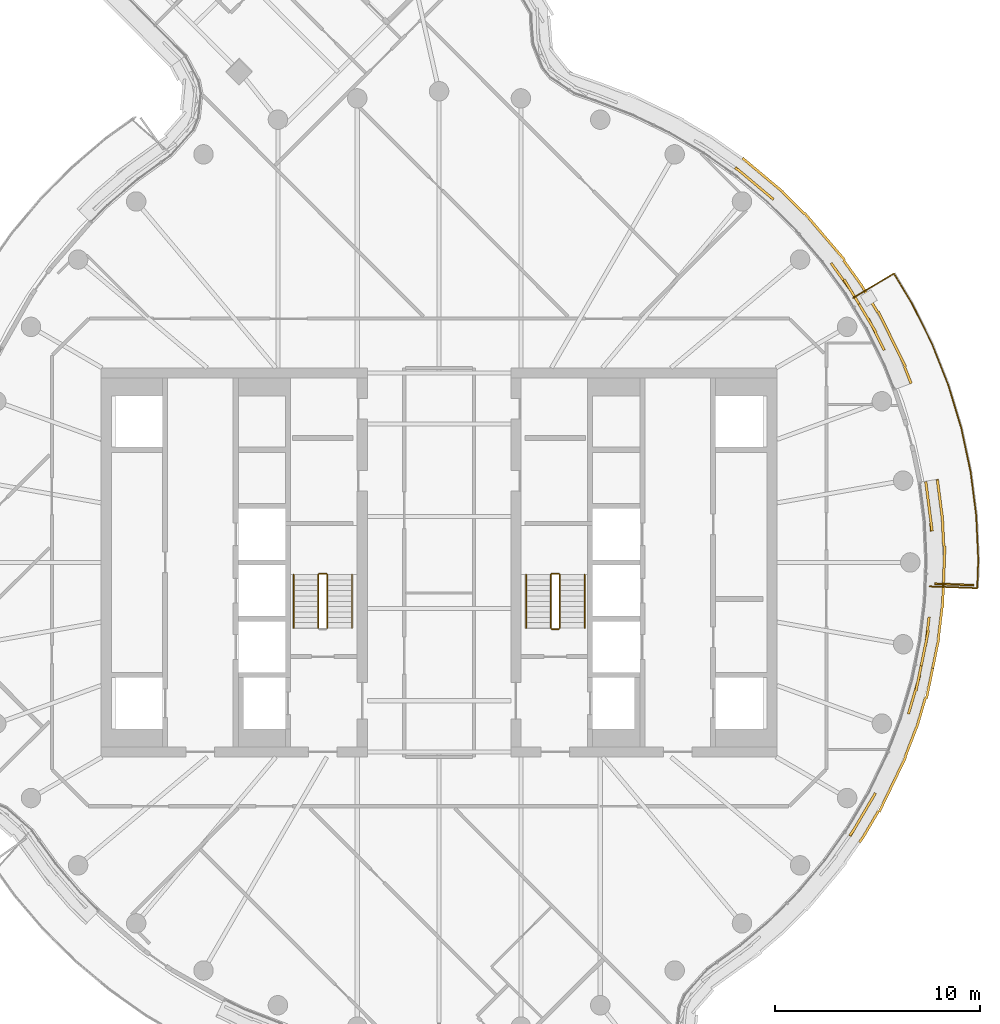
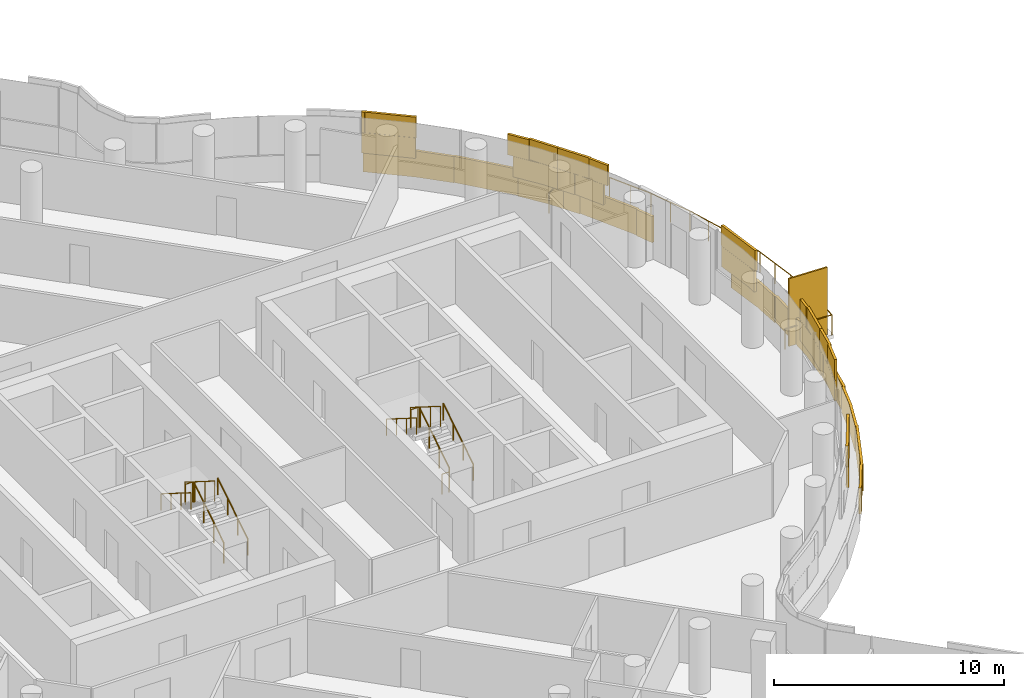
# One storey, part 28 of 31: 12 railings, 4 coverings, 1 shading device.
"""IFC4 building model written with IfcOpenShell, lengths in metres."""

from ifc_helpers import new_model, si_unit, direction, frame, origin, origin_2d, place, context, subcontext, project, spatial, rectangle, circle, extrude, material, layer, layer_set, type_object, element, save


model = new_model("IFC4")

# Units and contexts
model_context = context("Model", 3, precision=1e-05, world=origin(), true_north=direction((0.0, 1.0)))
body_context = subcontext(model_context, "Body", "Model", "MODEL_VIEW")
ifc_project = project(units=[si_unit("LENGTHUNIT", "METRE"), si_unit("AREAUNIT", "SQUARE_METRE"), si_unit("VOLUMEUNIT", "CUBIC_METRE"), si_unit("PLANEANGLEUNIT", "RADIAN"), si_unit("MASSUNIT", "GRAM", prefix="KILO")], contexts=[model_context])

# Site, building, storey
site_placement = place(None, origin())
site = spatial("IfcSite", under=ifc_project, at=site_placement, CompositionType="ELEMENT")
building_placement = place(site_placement, origin())
building = spatial("IfcBuilding", under=site, at=building_placement, Name="Tamarind Cross Interchange Tower", CompositionType="ELEMENT")
storey_placement = place(building_placement, frame((0.0, 0.0, 196.89990234375)))
storey = spatial("IfcBuildingStorey", under=building, at=storey_placement, Name="L49", CompositionType="ELEMENT", Elevation=196.89990234375)

# Railing
ifc_material_1 = material(Name="Stainless steel and laminated glass", Category="steel")
railing_type_1 = type_object("IfcRailingType", Name="Balcony guard", PredefinedType="BALUSTRADE", material=ifc_material_1)
railing_1_placement = place(storey_placement, frame((23.948486328125, -1.169921875, 0.0)))
element("IfcRailing", 1, at=railing_1_placement, inside=storey, type_object=railing_type_1, Name="Balcony guard 02", PredefinedType="BALUSTRADE", context=body_context, shape_type="SweptSolid", body=[
    extrude(circle(Radius=0.02490234375, at=origin_2d()), frame((0.0, 0.0, 1.0751953125), z_axis=(0.999313680019, -0.037042798585, 0.0), x_axis=(0.037042798585, 0.999313680019, 0.0)), (0.0, 0.0, 1.0), 2.320068359375),
    extrude(circle(Radius=0.02490234375, at=origin_2d()), frame((2.318359375, -0.0859375, 1.0751953125), z_axis=(0.037064386403, 0.999312879563, 0.0), x_axis=(-0.999312879563, 0.037064386403, 0.0)), (0.0, 0.0, 1.0), 1.3701171875),
    extrude(circle(Radius=0.02490234375, at=origin_2d()), frame((2.369140625, 1.283203125, 1.0751953125), z_axis=(-0.045570585979, 0.998961121212, 0.0), x_axis=(-0.998961121212, -0.045570585979, 0.0)), (0.0, 0.0, 1.0), 2.175048828125),
    extrude(circle(Radius=0.02490234375, at=origin_2d()), frame((2.27001953125, 3.4560546875, 1.0751953125), z_axis=(-0.127957091824, 0.991779704699, 0.0), x_axis=(-0.991779704699, -0.127957091824, 0.0)), (0.0, 0.0, 1.0), 2.175048828125),
    extrude(circle(Radius=0.02490234375, at=origin_2d()), frame((1.99169921875, 5.61328125, 1.0751953125), z_axis=(-0.209437106955, 0.977822119933, 0.0), x_axis=(-0.977822119933, -0.209437106955, 0.0)), (0.0, 0.0, 1.0), 2.17529296875),
    extrude(circle(Radius=0.02490234375, at=origin_2d()), frame((1.5361328125, 7.740234375, 1.0751953125), z_axis=(-0.289468424656, 0.957187563191, 0.0), x_axis=(-0.957187563191, -0.289468424656, 0.0)), (0.0, 0.0, 1.0), 2.175048828125),
    extrude(circle(Radius=0.02490234375, at=origin_2d()), frame((0.906494140625, 9.822265625, 1.0751953125), z_axis=(-0.367439931593, 0.930047255074, 0.0), x_axis=(-0.930047255074, -0.367439931593, 0.0)), (0.0, 0.0, 1.0), 2.17529296875),
    extrude(circle(Radius=0.02490234375, at=origin_2d()), frame((0.107177734375, 11.845458984375, 1.0751953125), z_axis=(-0.443123395184, 0.896460627491, 0.0), x_axis=(-0.896460627491, -0.443123395184, 0.0)), (0.0, 0.0, 1.0), 2.175048828125),
    extrude(circle(Radius=0.02490234375, at=origin_2d()), frame((-0.856689453125, 13.79541015625, 1.0751953125), z_axis=(-0.515556176902, 0.856855780431, 0.0), x_axis=(-0.856855780431, -0.515556176902, 0.0)), (0.0, 0.0, 1.0), 1.72607421875),
    extrude(circle(Radius=0.02490234375, at=origin_2d()), frame((-1.74658203125, 15.2744140625, 1.0751953125), z_axis=(-0.856879513456, -0.515516730495, 0.0), x_axis=(0.515516730495, -0.856879513456, 0.0)), (0.0, 0.0, 1.0), 2.320068359375),
    extrude(circle(Radius=0.02001953125, at=origin_2d()), origin(), (0.0, 0.0, 1.0), 1.050048828125),
    extrude(circle(Radius=0.02001953125, at=origin_2d()), frame((1.1591796875, -0.04296875, 0.0)), (0.0, 0.0, 1.0), 1.050048828125),
    extrude(circle(Radius=0.02001953125, at=origin_2d()), frame((2.318359375, -0.0859375, 0.0)), (0.0, 0.0, 1.0), 1.050048828125),
    extrude(circle(Radius=0.02001953125, at=origin_2d()), frame((2.34375, 0.5986328125, 0.0)), (0.0, 0.0, 1.0), 1.050048828125),
    extrude(circle(Radius=0.02001953125, at=origin_2d()), frame((2.369140625, 1.283203125, 0.0)), (0.0, 0.0, 1.0), 1.050048828125),
    extrude(circle(Radius=0.02001953125, at=origin_2d()), frame((2.319580078125, 2.36962890625, 0.0)), (0.0, 0.0, 1.0), 1.050048828125),
    extrude(circle(Radius=0.02001953125, at=origin_2d()), frame((2.27001953125, 3.4560546875, 0.0)), (0.0, 0.0, 1.0), 1.050048828125),
    extrude(circle(Radius=0.02001953125, at=origin_2d()), frame((2.130859375, 4.53466796875, 0.0)), (0.0, 0.0, 1.0), 1.050048828125),
    extrude(circle(Radius=0.02001953125, at=origin_2d()), frame((1.99169921875, 5.61328125, 0.0)), (0.0, 0.0, 1.0), 1.050048828125),
    extrude(circle(Radius=0.02001953125, at=origin_2d()), frame((1.763916015625, 6.6767578125, 0.0)), (0.0, 0.0, 1.0), 1.050048828125),
    extrude(circle(Radius=0.02001953125, at=origin_2d()), frame((1.5361328125, 7.740234375, 0.0)), (0.0, 0.0, 1.0), 1.050048828125),
    extrude(circle(Radius=0.02001953125, at=origin_2d()), frame((1.22119140625, 8.78125, 0.0)), (0.0, 0.0, 1.0), 1.050048828125),
    extrude(circle(Radius=0.02001953125, at=origin_2d()), frame((0.906494140625, 9.822265625, 0.0)), (0.0, 0.0, 1.0), 1.050048828125),
    extrude(circle(Radius=0.02001953125, at=origin_2d()), frame((0.5068359375, 10.833984375, 0.0)), (0.0, 0.0, 1.0), 1.050048828125),
    extrude(circle(Radius=0.02001953125, at=origin_2d()), frame((0.107177734375, 11.845458984375, 0.0)), (0.0, 0.0, 1.0), 1.050048828125),
    extrude(circle(Radius=0.02001953125, at=origin_2d()), frame((-0.374755859375, 12.8203125, 0.0)), (0.0, 0.0, 1.0), 1.050048828125),
    extrude(circle(Radius=0.02001953125, at=origin_2d()), frame((-0.856689453125, 13.79541015625, 0.0)), (0.0, 0.0, 1.0), 1.050048828125),
    extrude(circle(Radius=0.02001953125, at=origin_2d()), frame((-1.3017578125, 14.534912109375, 0.0)), (0.0, 0.0, 1.0), 1.050048828125),
    extrude(circle(Radius=0.02001953125, at=origin_2d()), frame((-1.74658203125, 15.2744140625, 0.0)), (0.0, 0.0, 1.0), 1.050048828125),
    extrude(circle(Radius=0.02001953125, at=origin_2d()), frame((-2.74072265625, 14.67626953125, 0.0)), (0.0, 0.0, 1.0), 1.050048828125),
    extrude(circle(Radius=0.02001953125, at=origin_2d()), frame((-3.734619140625, 14.078369140625, 0.0)), (0.0, 0.0, 1.0), 1.050048828125),
])

# Shading device
ifc_material_2 = material(Name="Bronze-finish aluminium louvre", Category="aluminium")
ifc_layer_1 = layer(ifc_material_2, 0.080078125)
ifc_layer_set_1 = layer_set([ifc_layer_1], Name="Bronze-finish aluminium louvre")
shading_device_type = type_object("IfcShadingDeviceType", Name="Operable louvre bay", PredefinedType="JALOUSIE", material=ifc_layer_set_1)
shading_device_placement = place(storey_placement, origin())
element("IfcShadingDevice", 2, at=shading_device_placement, inside=storey, type_object=shading_device_type, Name="LVR-L49-BAL02", PredefinedType="JALOUSIE", context=body_context, shape_type="SweptSolid", body=[
    extrude(rectangle(XDim=1.89990234375, YDim=0.080078125, at=origin_2d()), frame((25.15283203125, -1.074462890625, 0.0), z_axis=(0.0, 0.0, 1.0), x_axis=(0.999314350871, -0.037024696392, 0.0)), (0.0, 0.0, 1.0), 3.60009765625),
])

# Railings
ifc_material_3 = material(Name="Stair guard")
railing_type_2 = type_object("IfcRailingType", Name="Stair guard", PredefinedType="GUARDRAIL", material=ifc_material_3)
railing_2_placement = place(storey_placement, frame((-5.449951171875, -3.199951171875, 0.163818359375)))
element("IfcRailing", 3, at=railing_2_placement, inside=storey, type_object=railing_type_2, Name="L49 ST1 stair guard 1", PredefinedType="GUARDRAIL", context=body_context, shape_type="SweptSolid", body=[
    extrude(circle(Radius=0.02392578125, at=origin_2d()), frame((0.0, 0.0, 1.076171875), z_axis=(0.0, 0.846337672412, 0.532646734952), x_axis=(-1.0, 0.0, 0.0)), (0.0, 0.0, 1.0), 3.07177734375),
    extrude(circle(Radius=0.02099609375, at=origin_2d()), origin(), (0.0, 0.0, 1.0), 1.052001953125),
    extrude(circle(Radius=0.02099609375, at=origin_2d()), frame((0.0, 0.86669921875, 0.54541015625)), (0.0, 0.0, 1.0), 1.052001953125),
    extrude(circle(Radius=0.02099609375, at=origin_2d()), frame((0.0, 1.733154296875, 1.0908203125)), (0.0, 0.0, 1.0), 1.052001953125),
    extrude(circle(Radius=0.02099609375, at=origin_2d()), frame((0.0, 2.599853515625, 1.63623046875)), (0.0, 0.0, 1.0), 1.052001953125),
])
railing_3_placement = place(storey_placement, frame((-5.5, -0.550048828125, 1.800048828125)))
element("IfcRailing", 4, at=railing_3_placement, inside=storey, type_object=railing_type_2, Name="L49 ST1 stair guard 2", PredefinedType="GUARDRAIL", context=body_context, shape_type="SweptSolid", body=[
    extrude(circle(Radius=0.02392578125, at=origin_2d()), frame((0.0, 0.0, 1.076171875), z_axis=(-1.0, 0.0, 0.0), x_axis=(0.0, -1.0, 0.0)), (0.0, 0.0, 1.0), 0.35009765625),
    extrude(circle(Radius=0.02099609375, at=origin_2d()), origin(), (0.0, 0.0, 1.0), 1.052001953125),
    extrude(circle(Radius=0.02099609375, at=origin_2d()), frame((-0.35009765625, 0.0, 0.0)), (0.0, 0.0, 1.0), 1.052001953125),
])
railing_4_placement = place(storey_placement, frame((-5.89990234375, -0.60009765625, 1.963623046875)))
element("IfcRailing", 5, at=railing_4_placement, inside=storey, type_object=railing_type_2, Name="L49 ST1 stair guard 3", PredefinedType="GUARDRAIL", context=body_context, shape_type="SweptSolid", body=[
    extrude(circle(Radius=0.02392578125, at=origin_2d()), frame((0.0, 0.0, 1.076171875), z_axis=(0.0, -0.846301844409, 0.532703658848), x_axis=(1.0, 0.0, 0.0)), (0.0, 0.0, 1.0), 3.072021484375),
    extrude(circle(Radius=0.02099609375, at=origin_2d()), origin(), (0.0, 0.0, 1.0), 1.052001953125),
    extrude(circle(Radius=0.02099609375, at=origin_2d()), frame((0.0, -0.86669921875, 0.54541015625)), (0.0, 0.0, 1.0), 1.052001953125),
    extrude(circle(Radius=0.02099609375, at=origin_2d()), frame((0.0, -1.733154296875, 1.091064453125)), (0.0, 0.0, 1.0), 1.052001953125),
    extrude(circle(Radius=0.02099609375, at=origin_2d()), frame((0.0, -2.599853515625, 1.636474609375)), (0.0, 0.0, 1.0), 1.052001953125),
])
railing_5_placement = place(storey_placement, frame((5.89990234375, -3.199951171875, 0.163818359375)))
element("IfcRailing", 6, at=railing_5_placement, inside=storey, type_object=railing_type_2, Name="L49 ST2 stair guard 1", PredefinedType="GUARDRAIL", context=body_context, shape_type="SweptSolid", body=[
    extrude(circle(Radius=0.02392578125, at=origin_2d()), frame((0.0, 0.0, 1.076171875), z_axis=(0.0, 0.846337672412, 0.532646734952), x_axis=(-1.0, 0.0, 0.0)), (0.0, 0.0, 1.0), 3.07177734375),
    extrude(circle(Radius=0.02099609375, at=origin_2d()), origin(), (0.0, 0.0, 1.0), 1.052001953125),
    extrude(circle(Radius=0.02099609375, at=origin_2d()), frame((0.0, 0.86669921875, 0.54541015625)), (0.0, 0.0, 1.0), 1.052001953125),
    extrude(circle(Radius=0.02099609375, at=origin_2d()), frame((0.0, 1.733154296875, 1.0908203125)), (0.0, 0.0, 1.0), 1.052001953125),
    extrude(circle(Radius=0.02099609375, at=origin_2d()), frame((0.0, 2.599853515625, 1.63623046875)), (0.0, 0.0, 1.0), 1.052001953125),
])
railing_6_placement = place(storey_placement, frame((5.85009765625, -0.550048828125, 1.800048828125)))
element("IfcRailing", 7, at=railing_6_placement, inside=storey, type_object=railing_type_2, Name="L49 ST2 stair guard 2", PredefinedType="GUARDRAIL", context=body_context, shape_type="SweptSolid", body=[
    extrude(circle(Radius=0.02392578125, at=origin_2d()), frame((0.0, 0.0, 1.076171875), z_axis=(-1.0, 0.0, 0.0), x_axis=(0.0, -1.0, 0.0)), (0.0, 0.0, 1.0), 0.35009765625),
    extrude(circle(Radius=0.02099609375, at=origin_2d()), origin(), (0.0, 0.0, 1.0), 1.052001953125),
    extrude(circle(Radius=0.02099609375, at=origin_2d()), frame((-0.35009765625, 0.0, 0.0)), (0.0, 0.0, 1.0), 1.052001953125),
])
railing_7_placement = place(storey_placement, frame((5.449951171875, -0.60009765625, 1.963623046875)))
element("IfcRailing", 8, at=railing_7_placement, inside=storey, type_object=railing_type_2, Name="L49 ST2 stair guard 3", PredefinedType="GUARDRAIL", context=body_context, shape_type="SweptSolid", body=[
    extrude(circle(Radius=0.02392578125, at=origin_2d()), frame((0.0, 0.0, 1.076171875), z_axis=(0.0, -0.846301844409, 0.532703658848), x_axis=(1.0, 0.0, 0.0)), (0.0, 0.0, 1.0), 3.072021484375),
    extrude(circle(Radius=0.02099609375, at=origin_2d()), origin(), (0.0, 0.0, 1.0), 1.052001953125),
    extrude(circle(Radius=0.02099609375, at=origin_2d()), frame((0.0, -0.86669921875, 0.54541015625)), (0.0, 0.0, 1.0), 1.052001953125),
    extrude(circle(Radius=0.02099609375, at=origin_2d()), frame((0.0, -1.733154296875, 1.091064453125)), (0.0, 0.0, 1.0), 1.052001953125),
    extrude(circle(Radius=0.02099609375, at=origin_2d()), frame((0.0, -2.599853515625, 1.636474609375)), (0.0, 0.0, 1.0), 1.052001953125),
])
railing_8_placement = place(storey_placement, frame((5.85009765625, -3.25, 0.0)))
element("IfcRailing", 9, at=railing_8_placement, inside=storey, type_object=railing_type_2, Name="L49 ST2 stair guard 4", PredefinedType="GUARDRAIL", context=body_context, shape_type="SweptSolid", body=[
    extrude(circle(Radius=0.02392578125, at=origin_2d()), frame((0.0, 0.0, 1.076171875), z_axis=(-1.0, 0.0, 0.0), x_axis=(0.0, -1.0, 0.0)), (0.0, 0.0, 1.0), 0.35009765625),
    extrude(circle(Radius=0.02099609375, at=origin_2d()), origin(), (0.0, 0.0, 1.0), 1.052001953125),
    extrude(circle(Radius=0.02099609375, at=origin_2d()), frame((-0.35009765625, 0.0, 0.0)), (0.0, 0.0, 1.0), 1.052001953125),
])
ifc_material_4 = material(Name="Stair handrail")
railing_type_3 = type_object("IfcRailingType", Name="Stair handrail", PredefinedType="HANDRAIL", material=ifc_material_4)
railing_9_placement = place(storey_placement, frame((-4.25, -3.199951171875, 0.163818359375)))
element("IfcRailing", 10, at=railing_9_placement, inside=storey, type_object=railing_type_3, Name="L49 ST1 stair handrail 1", PredefinedType="HANDRAIL", context=body_context, shape_type="SweptSolid", body=[
    extrude(circle(Radius=0.02392578125, at=origin_2d()), frame((0.0, 0.0, 0.8759765625), z_axis=(0.0, 0.846337672412, 0.532646734952), x_axis=(-1.0, 0.0, 0.0)), (0.0, 0.0, 1.0), 3.07177734375),
    extrude(circle(Radius=0.02099609375, at=origin_2d()), origin(), (0.0, 0.0, 1.0), 0.851806640625),
    extrude(circle(Radius=0.02099609375, at=origin_2d()), frame((0.0, 0.86669921875, 0.54541015625)), (0.0, 0.0, 1.0), 0.851806640625),
    extrude(circle(Radius=0.02099609375, at=origin_2d()), frame((0.0, 1.733154296875, 1.0908203125)), (0.0, 0.0, 1.0), 0.851806640625),
    extrude(circle(Radius=0.02099609375, at=origin_2d()), frame((0.0, 2.599853515625, 1.63623046875)), (0.0, 0.0, 1.0), 0.851806640625),
])
railing_10_placement = place(storey_placement, frame((-7.10009765625, -0.60009765625, 1.963623046875)))
element("IfcRailing", 11, at=railing_10_placement, inside=storey, type_object=railing_type_3, Name="L49 ST1 stair handrail 2", PredefinedType="HANDRAIL", context=body_context, shape_type="SweptSolid", body=[
    extrude(circle(Radius=0.02392578125, at=origin_2d()), frame((0.0, 0.0, 0.8759765625), z_axis=(0.0, -0.846301844409, 0.532703658848), x_axis=(1.0, 0.0, 0.0)), (0.0, 0.0, 1.0), 3.072021484375),
    extrude(circle(Radius=0.02099609375, at=origin_2d()), origin(), (0.0, 0.0, 1.0), 0.851806640625),
    extrude(circle(Radius=0.02099609375, at=origin_2d()), frame((0.0, -0.86669921875, 0.54541015625)), (0.0, 0.0, 1.0), 0.851806640625),
    extrude(circle(Radius=0.02099609375, at=origin_2d()), frame((0.0, -1.733154296875, 1.091064453125)), (0.0, 0.0, 1.0), 0.851806640625),
    extrude(circle(Radius=0.02099609375, at=origin_2d()), frame((0.0, -2.599853515625, 1.636474609375)), (0.0, 0.0, 1.0), 0.851806640625),
])
railing_11_placement = place(storey_placement, frame((7.10009765625, -3.199951171875, 0.163818359375)))
element("IfcRailing", 12, at=railing_11_placement, inside=storey, type_object=railing_type_3, Name="L49 ST2 stair handrail 1", PredefinedType="HANDRAIL", context=body_context, shape_type="SweptSolid", body=[
    extrude(circle(Radius=0.02392578125, at=origin_2d()), frame((0.0, 0.0, 0.8759765625), z_axis=(0.0, 0.846337672412, 0.532646734952), x_axis=(-1.0, 0.0, 0.0)), (0.0, 0.0, 1.0), 3.07177734375),
    extrude(circle(Radius=0.02099609375, at=origin_2d()), origin(), (0.0, 0.0, 1.0), 0.851806640625),
    extrude(circle(Radius=0.02099609375, at=origin_2d()), frame((0.0, 0.86669921875, 0.54541015625)), (0.0, 0.0, 1.0), 0.851806640625),
    extrude(circle(Radius=0.02099609375, at=origin_2d()), frame((0.0, 1.733154296875, 1.0908203125)), (0.0, 0.0, 1.0), 0.851806640625),
    extrude(circle(Radius=0.02099609375, at=origin_2d()), frame((0.0, 2.599853515625, 1.63623046875)), (0.0, 0.0, 1.0), 0.851806640625),
])
railing_12_placement = place(storey_placement, frame((4.25, -0.60009765625, 1.963623046875)))
element("IfcRailing", 13, at=railing_12_placement, inside=storey, type_object=railing_type_3, Name="L49 ST2 stair handrail 2", PredefinedType="HANDRAIL", context=body_context, shape_type="SweptSolid", body=[
    extrude(circle(Radius=0.02392578125, at=origin_2d()), frame((0.0, 0.0, 0.8759765625), z_axis=(0.0, -0.846301844409, 0.532703658848), x_axis=(1.0, 0.0, 0.0)), (0.0, 0.0, 1.0), 3.072021484375),
    extrude(circle(Radius=0.02099609375, at=origin_2d()), origin(), (0.0, 0.0, 1.0), 0.851806640625),
    extrude(circle(Radius=0.02099609375, at=origin_2d()), frame((0.0, -0.86669921875, 0.54541015625)), (0.0, 0.0, 1.0), 0.851806640625),
    extrude(circle(Radius=0.02099609375, at=origin_2d()), frame((0.0, -1.733154296875, 1.091064453125)), (0.0, 0.0, 1.0), 0.851806640625),
    extrude(circle(Radius=0.02099609375, at=origin_2d()), frame((0.0, -2.599853515625, 1.636474609375)), (0.0, 0.0, 1.0), 0.851806640625),
])

# Coverings
ifc_material_5 = material(Name="Terracotta", Category="masonry")
ifc_layer_2 = layer(ifc_material_5, 0.1201171875)
ifc_layer_set_2 = layer_set([ifc_layer_2], Name="Terracotta")
covering_type = type_object("IfcCoveringType", Name="Terracotta baguette screen unit", PredefinedType="MOLDING", material=ifc_layer_set_2)
covering_1_placement = place(storey_placement, origin())
element("IfcCovering", 14, at=covering_1_placement, inside=storey, type_object=covering_type, Name="SCR-L49-02-01", PredefinedType="MOLDING", context=body_context, shape_type="SweptSolid", body=[
    extrude(rectangle(XDim=1.0771484375, YDim=0.1201171875, at=origin_2d()), frame((20.337890625, -12.88818359375, 1.404296875), z_axis=(0.0, 0.0, 1.0), x_axis=(0.508183308752, 0.861248933065, 0.0)), (0.0, 0.0, 1.0), 1.092041015625),
    extrude(rectangle(XDim=1.364013671875, YDim=0.1201171875, at=origin_2d()), frame((20.953125, -11.845458984375, 1.404296875), z_axis=(0.0, 0.0, 1.0), x_axis=(0.508183308752, 0.861248933065, 0.0)), (0.0, 0.0, 1.0), 1.092041015625),
    extrude(rectangle(XDim=0.4560546875, YDim=0.1201171875, at=origin_2d()), frame((22.974609375, -7.17626953125, 1.404296875), z_axis=(0.0, 0.0, 1.0), x_axis=(0.281208920763, 0.95964657186, 0.0)), (0.0, 0.0, 1.0), 1.092041015625),
    extrude(rectangle(XDim=1.52001953125, YDim=0.1201171875, at=origin_2d()), frame((23.248046875, -6.242431640625, 1.404296875), z_axis=(0.0, 0.0, 1.0), x_axis=(0.281208920763, 0.95964657186, 0.0)), (0.0, 0.0, 1.0), 1.092041015625),
    extrude(rectangle(XDim=0.4853515625, YDim=0.1201171875, at=origin_2d()), frame((23.482666015625, -5.283935546875, 1.404296875), z_axis=(0.0, 0.0, 1.0), x_axis=(0.201001463943, 0.9795909409, 0.0)), (0.0, 0.0, 1.0), 1.092041015625),
    extrude(rectangle(XDim=0.3271484375, YDim=0.1201171875, at=origin_2d()), frame((20.13720703125, -13.20458984375, 2.50390625), z_axis=(0.0, 0.0, 1.0), x_axis=(0.577568978284, 0.816341886298, 0.0)), (0.0, 0.0, 1.0), 1.092041015625),
    extrude(rectangle(XDim=1.52001953125, YDim=0.1201171875, at=origin_2d()), frame((20.60888671875, -12.428466796875, 2.50390625), z_axis=(0.0, 0.0, 1.0), x_axis=(0.508183308752, 0.861248933065, 0.0)), (0.0, 0.0, 1.0), 1.092041015625),
    extrude(rectangle(XDim=0.614013671875, YDim=0.1201171875, at=origin_2d()), frame((21.1435546875, -11.5224609375, 2.50390625), z_axis=(0.0, 0.0, 1.0), x_axis=(0.508183308752, 0.861248933065, 0.0)), (0.0, 0.0, 1.0), 1.092041015625),
    extrude(rectangle(XDim=1.2060546875, YDim=0.1201171875, at=origin_2d()), frame((23.080078125, -6.81640625, 2.50390625), z_axis=(0.0, 0.0, 1.0), x_axis=(0.281208920763, 0.95964657186, 0.0)), (0.0, 0.0, 1.0), 1.092041015625),
    extrude(rectangle(XDim=1.2353515625, YDim=0.1201171875, at=origin_2d()), frame((23.4072265625, -5.6513671875, 2.50390625), z_axis=(0.0, 0.0, 1.0), x_axis=(0.201001463943, 0.9795909409, 0.0)), (0.0, 0.0, 1.0), 1.092041015625),
    extrude(rectangle(XDim=0.28466796875, YDim=0.1201171875, at=origin_2d()), frame((20.60595703125, -13.535888671875, 0.004150390625), z_axis=(0.0, 0.0, 1.0), x_axis=(0.577568978284, 0.816341886298, 0.0)), (0.0, 0.0, 1.0), 1.39208984375),
    extrude(rectangle(XDim=1.52001953125, YDim=0.1201171875, at=origin_2d()), frame((21.06591796875, -12.78369140625, 0.004150390625), z_axis=(0.0, 0.0, 1.0), x_axis=(0.508183308752, 0.861248933065, 0.0)), (0.0, 0.0, 1.0), 1.39208984375),
    extrude(rectangle(XDim=1.52001953125, YDim=0.1201171875, at=origin_2d()), frame((21.8154296875, -11.48486328125, 0.004150390625), z_axis=(0.0, 0.0, 1.0), x_axis=(0.435326231914, 0.900272776334, 0.0)), (0.0, 0.0, 1.0), 1.39208984375),
    extrude(rectangle(XDim=1.52001953125, YDim=0.1201171875, at=origin_2d()), frame((22.46826171875, -10.134521484375, 0.004150390625), z_axis=(0.0, 0.0, 1.0), x_axis=(0.435326231914, 0.900272776334, 0.0)), (0.0, 0.0, 1.0), 1.39208984375),
    extrude(rectangle(XDim=1.52001953125, YDim=0.1201171875, at=origin_2d()), frame((23.03515625, -8.74658203125, 0.004150390625), z_axis=(0.0, 0.0, 1.0), x_axis=(0.359495435512, 0.933146843667, 0.0)), (0.0, 0.0, 1.0), 1.39208984375),
    extrude(rectangle(XDim=1.52001953125, YDim=0.1201171875, at=origin_2d()), frame((23.52734375, -7.3310546875, 0.004150390625), z_axis=(0.0, 0.0, 1.0), x_axis=(0.281208920763, 0.95964657186, 0.0)), (0.0, 0.0, 1.0), 1.39208984375),
    extrude(rectangle(XDim=1.49365234375, YDim=0.1201171875, at=origin_2d()), frame((23.94140625, -5.9033203125, 0.004150390625), z_axis=(0.0, 0.0, 1.0), x_axis=(0.201001463943, 0.9795909409, 0.0)), (0.0, 0.0, 1.0), 1.39208984375),
])
covering_2_placement = place(storey_placement, origin())
element("IfcCovering", 15, at=covering_2_placement, inside=storey, type_object=covering_type, Name="SCR-L49-02-02", PredefinedType="MOLDING", context=body_context, shape_type="SweptSolid", body=[
    extrude(rectangle(XDim=1.03466796875, YDim=0.1201171875, at=origin_2d()), frame((23.63330078125, -4.54931640625, 1.404296875), z_axis=(0.0, 0.0, 1.0), x_axis=(0.201001463943, 0.9795909409, 0.0)), (0.0, 0.0, 1.0), 1.092041015625),
    extrude(rectangle(XDim=1.406982421875, YDim=0.1201171875, at=origin_2d()), frame((23.835205078125, -3.3564453125, 1.404296875), z_axis=(0.0, 0.0, 1.0), x_axis=(0.119420963295, 0.992843710523, 0.0)), (0.0, 0.0, 1.0), 1.092041015625),
    extrude(rectangle(XDim=0.4130859375, YDim=0.1201171875, at=origin_2d()), frame((24.011474609375, 1.72998046875, 1.404296875), z_axis=(0.0, 0.0, 1.0), x_axis=(-0.045624486728, 0.998958660912, 0.0)), (0.0, 0.0, 1.0), 1.092041015625),
    extrude(rectangle(XDim=1.52001953125, YDim=0.1201171875, at=origin_2d()), frame((23.919677734375, 2.67626953125, 1.404296875), z_axis=(0.0, 0.0, 1.0), x_axis=(-0.127962008342, 0.991779070368, 0.0)), (0.0, 0.0, 1.0), 1.092041015625),
    extrude(rectangle(XDim=0.528564453125, YDim=0.1201171875, at=origin_2d()), frame((23.79052734375, 3.67724609375, 1.404296875), z_axis=(0.0, 0.0, 1.0), x_axis=(-0.127962008342, 0.991779070368, 0.0)), (0.0, 0.0, 1.0), 1.092041015625),
    extrude(rectangle(XDim=0.28466796875, YDim=0.1201171875, at=origin_2d()), frame((23.55810546875, -4.916748046875, 2.50390625), z_axis=(0.0, 0.0, 1.0), x_axis=(0.201001463943, 0.9795909409, 0.0)), (0.0, 0.0, 1.0), 1.092041015625),
    extrude(rectangle(XDim=1.52001953125, YDim=0.1201171875, at=origin_2d()), frame((23.736328125, -4.04736328125, 2.50390625), z_axis=(0.0, 0.0, 1.0), x_axis=(0.201001463943, 0.9795909409, 0.0)), (0.0, 0.0, 1.0), 1.092041015625),
    extrude(rectangle(XDim=0.656982421875, YDim=0.1201171875, at=origin_2d()), frame((23.8798828125, -2.984130859375, 2.50390625), z_axis=(0.0, 0.0, 1.0), x_axis=(0.119420963295, 0.992843710523, 0.0)), (0.0, 0.0, 1.0), 1.092041015625),
    extrude(rectangle(XDim=1.1630859375, YDim=0.1201171875, at=origin_2d()), frame((23.993408203125, 2.1044921875, 2.50390625), z_axis=(0.0, 0.0, 1.0), x_axis=(-0.127962008342, 0.991779070368, 0.0)), (0.0, 0.0, 1.0), 1.092041015625),
    extrude(rectangle(XDim=1.278564453125, YDim=0.1201171875, at=origin_2d()), frame((23.83837890625, 3.305419921875, 2.50390625), z_axis=(0.0, 0.0, 1.0), x_axis=(-0.127962008342, 0.991779070368, 0.0)), (0.0, 0.0, 1.0), 1.092041015625),
    extrude(rectangle(XDim=1.52001953125, YDim=0.1201171875, at=origin_2d()), frame((24.24560546875, -4.4208984375, 0.004150390625), z_axis=(0.0, 0.0, 1.0), x_axis=(0.201001463943, 0.9795909409, 0.0)), (0.0, 0.0, 1.0), 1.39208984375),
    extrude(rectangle(XDim=1.52001953125, YDim=0.1201171875, at=origin_2d()), frame((24.463623046875, -2.93798828125, 0.004150390625), z_axis=(0.0, 0.0, 1.0), x_axis=(0.119420963295, 0.992843710523, 0.0)), (0.0, 0.0, 1.0), 1.39208984375),
    extrude(rectangle(XDim=1.52001953125, YDim=0.1201171875, at=origin_2d()), frame((24.602783203125, -1.445556640625, 0.004150390625), z_axis=(0.0, 0.0, 1.0), x_axis=(0.037024696392, 0.999314350871, 0.0)), (0.0, 0.0, 1.0), 1.39208984375),
    extrude(rectangle(XDim=1.52001953125, YDim=0.1201171875, at=origin_2d()), frame((24.658447265625, 0.053466796875, 0.004150390625), z_axis=(0.0, 0.0, 1.0), x_axis=(0.037024696392, 0.999314350871, 0.0)), (0.0, 0.0, 1.0), 1.39208984375),
    extrude(rectangle(XDim=1.52001953125, YDim=0.1201171875, at=origin_2d()), frame((24.59423828125, 1.5517578125, 0.004150390625), z_axis=(0.0, 0.0, 1.0), x_axis=(-0.045624486728, 0.998958660912, 0.0)), (0.0, 0.0, 1.0), 1.39208984375),
    extrude(rectangle(XDim=1.52001953125, YDim=0.1201171875, at=origin_2d()), frame((24.450927734375, 3.043701171875, 0.004150390625), z_axis=(0.0, 0.0, 1.0), x_axis=(-0.127962008342, 0.991779070368, 0.0)), (0.0, 0.0, 1.0), 1.39208984375),
    extrude(rectangle(XDim=0.252685546875, YDim=0.1201171875, at=origin_2d()), frame((24.340087890625, 3.903076171875, 0.004150390625), z_axis=(0.0, 0.0, 1.0), x_axis=(-0.127962008342, 0.991779070368, 0.0)), (0.0, 0.0, 1.0), 1.39208984375),
])
covering_3_placement = place(storey_placement, origin())
element("IfcCovering", 16, at=covering_3_placement, inside=storey, type_object=covering_type, Name="SCR-L49-02-03", PredefinedType="MOLDING", context=body_context, shape_type="SweptSolid", body=[
    extrude(rectangle(XDim=1.52001953125, YDim=0.1201171875, at=origin_2d()), frame((21.295166015625, 11.227783203125, 1.404296875), z_axis=(0.0, 0.0, 1.0), x_axis=(-0.443058811505, 0.896492548518, 0.0)), (0.0, 0.0, 1.0), 1.092041015625),
    extrude(rectangle(XDim=0.857177734375, YDim=0.1201171875, at=origin_2d()), frame((20.716552734375, 12.247802734375, 1.404296875), z_axis=(0.0, 0.0, 1.0), x_axis=(-0.515577308909, 0.856843065292, 0.0)), (0.0, 0.0, 1.0), 1.092041015625),
    extrude(rectangle(XDim=0.97705078125, YDim=0.1201171875, at=origin_2d()), frame((21.50927734375, 10.794189453125, 2.50390625), z_axis=(0.0, 0.0, 1.0), x_axis=(-0.443058811505, 0.896492548518, 0.0)), (0.0, 0.0, 1.0), 1.092041015625),
    extrude(rectangle(XDim=1.52001953125, YDim=0.1201171875, at=origin_2d()), frame((20.934814453125, 11.884765625, 2.50390625), z_axis=(0.0, 0.0, 1.0), x_axis=(-0.515577308909, 0.856843065292, 0.0)), (0.0, 0.0, 1.0), 1.092041015625),
    extrude(rectangle(XDim=0.107177734375, YDim=0.1201171875, at=origin_2d()), frame((20.523193359375, 12.569091796875, 2.50390625), z_axis=(0.0, 0.0, 1.0), x_axis=(-0.515577308909, 0.856843065292, 0.0)), (0.0, 0.0, 1.0), 1.092041015625),
    extrude(rectangle(XDim=0.03076171875, YDim=0.1201171875, at=origin_2d()), frame((24.322021484375, 4.04345703125, 0.004150390625), z_axis=(0.0, 0.0, 1.0), x_axis=(-0.127962008342, 0.991779070368, 0.0)), (0.0, 0.0, 1.0), 1.39208984375),
    extrude(rectangle(XDim=0.876708984375, YDim=0.1201171875, at=origin_2d()), frame((22.87939453125, 9.1455078125, 0.004150390625), z_axis=(0.0, 0.0, 1.0), x_axis=(-0.367513773146, 0.930018078613, 0.0)), (0.0, 0.0, 1.0), 1.39208984375),
    extrude(rectangle(XDim=1.52001953125, YDim=0.1201171875, at=origin_2d()), frame((22.427001953125, 10.23291015625, 0.004150390625), z_axis=(0.0, 0.0, 1.0), x_axis=(-0.443058811505, 0.896492548518, 0.0)), (0.0, 0.0, 1.0), 1.39208984375),
    extrude(rectangle(XDim=1.52001953125, YDim=0.1201171875, at=origin_2d()), frame((21.762451171875, 11.57763671875, 0.004150390625), z_axis=(0.0, 0.0, 1.0), x_axis=(-0.443058811505, 0.896492548518, 0.0)), (0.0, 0.0, 1.0), 1.39208984375),
    extrude(rectangle(XDim=0.8037109375, YDim=0.1201171875, at=origin_2d()), frame((21.194091796875, 12.567138671875, 0.004150390625), z_axis=(0.0, 0.0, 1.0), x_axis=(-0.515577308909, 0.856843065292, 0.0)), (0.0, 0.0, 1.0), 1.39208984375),
])
covering_4_placement = place(storey_placement, origin())
element("IfcCovering", 17, at=covering_4_placement, inside=storey, type_object=covering_type, Name="SCR-L49-02-04", PredefinedType="MOLDING", context=body_context, shape_type="SweptSolid", body=[
    extrude(rectangle(XDim=0.662841796875, YDim=0.1201171875, at=origin_2d()), frame((20.329833984375, 12.890380859375, 1.404296875), z_axis=(0.0, 0.0, 1.0), x_axis=(-0.515577308909, 0.856843065292, 0.0)), (0.0, 0.0, 1.0), 1.092041015625),
    extrude(rectangle(XDim=1.52001953125, YDim=0.1201171875, at=origin_2d()), frame((19.73046875, 13.783447265625, 1.404296875), z_axis=(0.0, 0.0, 1.0), x_axis=(-0.584573890505, 0.811340475102, 0.0)), (0.0, 0.0, 1.0), 1.092041015625),
    extrude(rectangle(XDim=1.52001953125, YDim=0.1201171875, at=origin_2d()), frame((15.7216796875, 18.22314453125, 1.404296875), z_axis=(0.0, 0.0, 1.0), x_axis=(-0.765858396687, 0.643009266048, 0.0)), (0.0, 0.0, 1.0), 1.092041015625),
    extrude(rectangle(XDim=0.89990234375, YDim=0.1201171875, at=origin_2d()), frame((14.806396484375, 18.991455078125, 1.404296875), z_axis=(0.0, 0.0, 1.0), x_axis=(-0.765858396687, 0.643009266048, 0.0)), (0.0, 0.0, 1.0), 1.092041015625),
    extrude(rectangle(XDim=1.412841796875, YDim=0.1201171875, at=origin_2d()), frame((20.136474609375, 13.211669921875, 2.50390625), z_axis=(0.0, 0.0, 1.0), x_axis=(-0.515577308909, 0.856843065292, 0.0)), (0.0, 0.0, 1.0), 1.092041015625),
    extrude(rectangle(XDim=1.028564453125, YDim=0.1201171875, at=origin_2d()), frame((19.4326171875, 14.196533203125, 2.50390625), z_axis=(0.0, 0.0, 1.0), x_axis=(-0.584573890505, 0.811340475102, 0.0)), (0.0, 0.0, 1.0), 1.092041015625),
    extrude(rectangle(XDim=0.79150390625, YDim=0.1201171875, at=origin_2d()), frame((16.02099609375, 17.971923828125, 2.50390625), z_axis=(0.0, 0.0, 1.0), x_axis=(-0.765858396687, 0.643009266048, 0.0)), (0.0, 0.0, 1.0), 1.092041015625),
    extrude(rectangle(XDim=1.52001953125, YDim=0.1201171875, at=origin_2d()), frame((15.147216796875, 18.705322265625, 2.50390625), z_axis=(0.0, 0.0, 1.0), x_axis=(-0.765858396687, 0.643009266048, 0.0)), (0.0, 0.0, 1.0), 1.092041015625),
    extrude(rectangle(XDim=0.14990234375, YDim=0.1201171875, at=origin_2d()), frame((14.506591796875, 19.216064453125, 2.50390625), z_axis=(0.0, 0.0, 1.0), x_axis=(-0.816341886298, 0.577568978284, 0.0)), (0.0, 0.0, 1.0), 1.092041015625),
    extrude(rectangle(XDim=0.71630859375, YDim=0.1201171875, at=origin_2d()), frame((20.80224609375, 13.21826171875, 0.004150390625), z_axis=(0.0, 0.0, 1.0), x_axis=(-0.515577308909, 0.856843065292, 0.0)), (0.0, 0.0, 1.0), 1.39208984375),
    extrude(rectangle(XDim=1.52001953125, YDim=0.1201171875, at=origin_2d()), frame((20.189208984375, 14.12841796875, 0.004150390625), z_axis=(0.0, 0.0, 1.0), x_axis=(-0.584573890505, 0.811340475102, 0.0)), (0.0, 0.0, 1.0), 1.39208984375),
    extrude(rectangle(XDim=1.52001953125, YDim=0.1201171875, at=origin_2d()), frame((19.30322265625, 15.338134765625, 0.004150390625), z_axis=(0.0, 0.0, 1.0), x_axis=(-0.64957723968, 0.760295606781, 0.0)), (0.0, 0.0, 1.0), 1.39208984375),
    extrude(rectangle(XDim=1.52001953125, YDim=0.1201171875, at=origin_2d()), frame((18.328857421875, 16.478515625, 0.004150390625), z_axis=(0.0, 0.0, 1.0), x_axis=(-0.64957723968, 0.760295606781, 0.0)), (0.0, 0.0, 1.0), 1.39208984375),
    extrude(rectangle(XDim=1.52001953125, YDim=0.1201171875, at=origin_2d()), frame((17.28759765625, 17.556884765625, 0.004150390625), z_axis=(0.0, 0.0, 1.0), x_axis=(-0.710143317658, 0.704057148523, 0.0)), (0.0, 0.0, 1.0), 1.39208984375),
    extrude(rectangle(XDim=1.52001953125, YDim=0.1201171875, at=origin_2d()), frame((16.19091796875, 18.57861328125, 0.004150390625), z_axis=(0.0, 0.0, 1.0), x_axis=(-0.765858396687, 0.643009266048, 0.0)), (0.0, 0.0, 1.0), 1.39208984375),
    extrude(rectangle(XDim=1.062255859375, YDim=0.1201171875, at=origin_2d()), frame((15.217529296875, 19.395751953125, 0.004150390625), z_axis=(0.0, 0.0, 1.0), x_axis=(-0.765858396687, 0.643009266048, 0.0)), (0.0, 0.0, 1.0), 1.39208984375),
])

save(model, "model.ifc")
